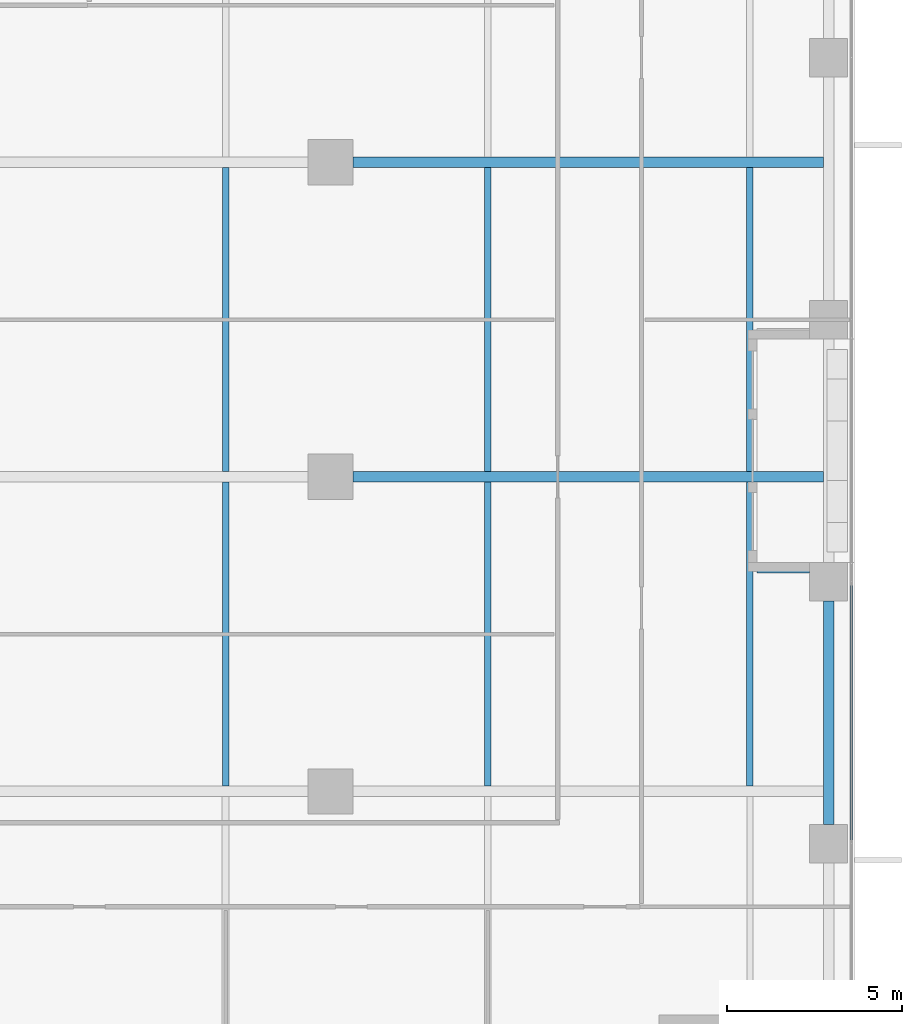
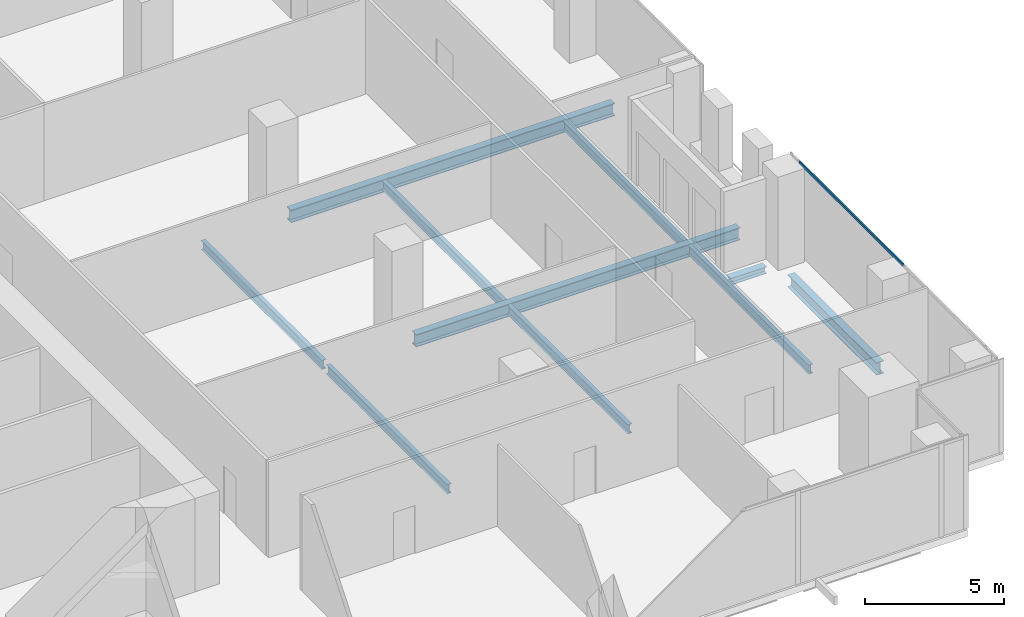
# One storey, part 12 of 34: 10 beams, 1 member, 1 element without a shape of its own.
"""IFC4 building model written with IfcOpenShell, lengths in metres."""

from ifc_helpers import new_model, si_unit, direction, frame, origin, origin_2d, place, context, subcontext, project, spatial, hollow_rectangle, i_section, extrude, source, transform, mapped, material, material_profile, profile_set, type_object, element, aggregate, save


model = new_model("IFC4")

# Units and contexts
model_context = context("Model", 3, precision=1e-05, world=origin(), true_north=direction((0.0, 1.0)))
body_context = subcontext(model_context, "Body", "Model", "MODEL_VIEW")
ifc_project = project(units=[si_unit("LENGTHUNIT", "METRE"), si_unit("AREAUNIT", "SQUARE_METRE"), si_unit("VOLUMEUNIT", "CUBIC_METRE"), si_unit("PLANEANGLEUNIT", "RADIAN"), si_unit("MASSUNIT", "GRAM", prefix="KILO")], contexts=[model_context])

# Site, building, storey
site_placement = place(None, origin())
site = spatial("IfcSite", under=ifc_project, at=site_placement, CompositionType="ELEMENT")
building_placement = place(site_placement, origin())
building = spatial("IfcBuilding", under=site, at=building_placement, Name="Khomas Fold Tower", CompositionType="ELEMENT")
storey_placement = place(building_placement, frame((0.0, 0.0, 110.300048828125)))
storey = spatial("IfcBuildingStorey", under=building, at=storey_placement, Name="L23", CompositionType="ELEMENT", Elevation=110.300048828125)

# Beams
ifc_material_1 = material(Name="Steel S355", Category="steel")
ifc_material_profile_1 = material_profile(ifc_material_1, i_section(OverallWidth=0.179931640625, OverallDepth=0.39990234375, WebThickness=0.008544921875, FlangeThickness=0.013427734375, at=origin_2d()), Name="IPE 400")
ifc_profile_set_1 = profile_set([ifc_material_profile_1], Name="Steel S355")
beam_type_1 = type_object("IfcBeamType", Name="IPE 400 beam JB3", PredefinedType="BEAM", material=ifc_profile_set_1)
shared_shape_1 = source(origin(), body_context, "Body", "SweptSolid", [
    extrude(i_section(OverallWidth=0.179931640625, OverallDepth=0.39990234375, WebThickness=0.008544921875, FlangeThickness=0.013427734375, at=origin_2d()), origin(), (0.0, 0.0, 1.0), 8.7001953125),
])
for number, where, z_axis, x_axis, name in (
    (1, (34.5, 13.64990234375, -0.5), (0.0, 1.0, 0.0), (-1.0, 0.0, 0.0), "JB3"),
    (2, (34.5, 22.64990234375, -0.5), (0.0, 1.0, 0.0), (-1.0, 0.0, 0.0), "JB3"),
    (3, (42.0, 13.64990234375, -0.5), (0.0, 1.0, 0.0), (-1.0, 0.0, 0.0), "JB3"),
    (4, (42.0, 22.64990234375, -0.5), (0.0, 1.0, 0.0), (-1.0, 0.0, 0.0), "JB3"),
    (5, (49.5, 13.64990234375, -0.5), (0.0, 1.0, 0.0), (-1.0, 0.0, 0.0), "JB3"),
    (6, (49.5, 22.64990234375, -0.5), (0.0, 1.0, 0.0), (-1.0, 0.0, 0.0), "JB3"),
):
    element("IfcBeam", number, at=place(storey_placement, frame(where, z_axis=z_axis, x_axis=x_axis)), inside=storey, type_object=beam_type_1, Name=name, PredefinedType="BEAM", context=body_context, shape_type="MappedRepresentation", body=[
        mapped(shared_shape_1, transform((0.0, 0.0, 0.0))),
    ])
ifc_material_2 = material(Name="Steel S355", Category="steel")
ifc_material_profile_2 = material_profile(ifc_material_2, i_section(OverallWidth=0.300048828125, OverallDepth=0.550048828125, WebThickness=0.014892578125, FlangeThickness=0.029052734375, at=origin_2d()), Name="HE 550 B")
ifc_profile_set_2 = profile_set([ifc_material_profile_2], Name="Steel S355")
beam_type_2 = type_object("IfcBeamType", Name="HE 550 B spandrel SB2", PredefinedType="SPANDREL", material=ifc_profile_set_2)
shared_shape_2 = source(origin(), body_context, "Body", "SweptSolid", [
    extrude(i_section(OverallWidth=0.300048828125, OverallDepth=0.550048828125, WebThickness=0.014892578125, FlangeThickness=0.029052734375, at=origin_2d()), origin(), (0.0, 0.0, 1.0), 6.39990234375),
])
beam_1_placement = place(storey_placement, frame((51.75, 12.550048828125, -0.574951171875), z_axis=(0.0, 1.0, 0.0), x_axis=(-1.0, 0.0, 0.0)))
element("IfcBeam", 7, at=beam_1_placement, inside=storey, type_object=beam_type_2, Name="SB2", PredefinedType="SPANDREL", context=body_context, shape_type="MappedRepresentation", body=[
    mapped(shared_shape_2, transform((0.0, 0.0, 0.0))),
])
ifc_material_3 = material(Name="Steel S355", Category="steel")
ifc_material_profile_3 = material_profile(ifc_material_3, i_section(OverallWidth=0.300048828125, OverallDepth=0.550048828125, WebThickness=0.014892578125, FlangeThickness=0.029052734375, at=origin_2d()), Name="HE 550 B")
ifc_profile_set_3 = profile_set([ifc_material_profile_3], Name="Steel S355")
beam_type_3 = type_object("IfcBeamType", Name="HE 550 B beam GB4", PredefinedType="BEAM", material=ifc_profile_set_3)
shared_shape_3 = source(origin(), body_context, "Body", "SweptSolid", [
    extrude(i_section(OverallWidth=0.300048828125, OverallDepth=0.550048828125, WebThickness=0.014892578125, FlangeThickness=0.029052734375, at=origin_2d()), origin(), (0.0, 0.0, 1.0), 13.4501953125),
])
for number, where, z_axis, x_axis, name in (
    (8, (38.14990234375, 22.5, -0.574951171875), (1.0, 0.0, 0.0), (0.0, 1.0, 0.0), "GB4"),
    (9, (38.14990234375, 31.5, -0.574951171875), (1.0, 0.0, 0.0), (0.0, 1.0, 0.0), "GB4"),
):
    element("IfcBeam", number, at=place(storey_placement, frame(where, z_axis=z_axis, x_axis=x_axis)), inside=storey, type_object=beam_type_3, Name=name, PredefinedType="BEAM", context=body_context, shape_type="MappedRepresentation", body=[
        mapped(shared_shape_3, transform((0.0, 0.0, 0.0))),
    ])
ifc_material_4 = material(Name="Steel S355", Category="steel")
ifc_material_profile_4 = material_profile(ifc_material_4, i_section(OverallWidth=0.300048828125, OverallDepth=0.300048828125, WebThickness=0.010986328125, FlangeThickness=0.01904296875, at=origin_2d()), Name="HE 300 B")
ifc_profile_set_4 = profile_set([ifc_material_profile_4], Name="Steel S355")
beam_type_4 = type_object("IfcBeamType", Name="HE 300 B beam BB1", PredefinedType="BEAM", material=ifc_profile_set_4)
shared_shape_4 = source(origin(), body_context, "Body", "SweptSolid", [
    extrude(i_section(OverallWidth=0.300048828125, OverallDepth=0.300048828125, WebThickness=0.010986328125, FlangeThickness=0.01904296875, at=origin_2d()), origin(), (0.0, 0.0, 1.0), 1.5),
])
beam_2_placement = place(storey_placement, frame((49.699951171875, 19.89990234375, -0.449951171875), z_axis=(1.0, 0.0, 0.0), x_axis=(0.0, 1.0, 0.0)))
element("IfcBeam", 10, at=beam_2_placement, inside=storey, type_object=beam_type_4, Name="BB1", PredefinedType="BEAM", context=body_context, shape_type="MappedRepresentation", body=[
    mapped(shared_shape_4, transform((0.0, 0.0, 0.0))),
])

# Curtain wall, member
ifc_material_5 = material(Name="Aluminium framed double glazing", Category="aluminium")
curtain_wall_type = type_object("IfcCurtainWallType", Name="SK-Unitised clear-glass wall, growing floors CW1", PredefinedType="NOTDEFINED", material=ifc_material_5)
curtain_wall_placement = place(storey_placement, origin())
curtain_wall = element("IfcCurtainWall", 11, at=curtain_wall_placement, inside=storey, type_object=curtain_wall_type, Name="CW1 run L23 03-0", PredefinedType="NOTDEFINED")
ifc_material_6 = material(Name="Aluminium", Category="aluminium")
ifc_material_profile_5 = material_profile(ifc_material_6, hollow_rectangle(XDim=0.06005859375, YDim=0.1201171875, WallThickness=0.00390625, at=origin_2d()), Name="SK-Unitised clear-glass wall, growing floors transom CW1-T")
ifc_profile_set_5 = profile_set([ifc_material_profile_5], Name="Aluminium")
member_type = type_object("IfcMemberType", Name="SK-Unitised clear-glass wall, growing floors transom CW1-T", PredefinedType="USERDEFINED", material=ifc_profile_set_5)
shared_shape_5 = source(origin(), body_context, "Body", "SweptSolid", [
    extrude(hollow_rectangle(XDim=0.06005859375, YDim=0.1201171875, WallThickness=0.00390625, at=origin_2d()), origin(), (0.0, 0.0, 1.0), 7.43994140625),
])
member_placement = place(storey_placement, frame((52.39990234375, 12.030029296875, 4.0400390625), z_axis=(0.0, 1.0, 0.0), x_axis=(-1.0, 0.0, 0.0)))
member = element("IfcMember", 12, at=member_placement, type_object=member_type, Name="CW1 transom 3", ObjectType="TRANSOM", PredefinedType="USERDEFINED", context=body_context, shape_type="MappedRepresentation", body=[
    mapped(shared_shape_5, transform((0.0, 0.0, 0.0))),
])
aggregate(curtain_wall, [member])

save(model, "model.ifc")
